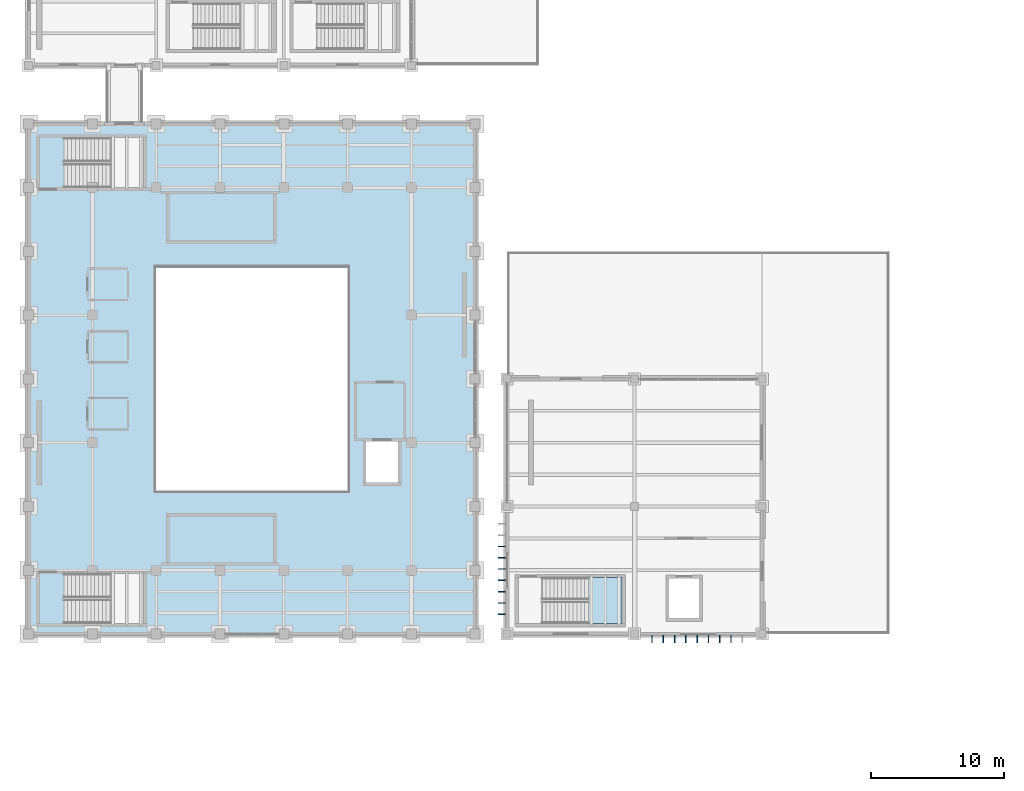
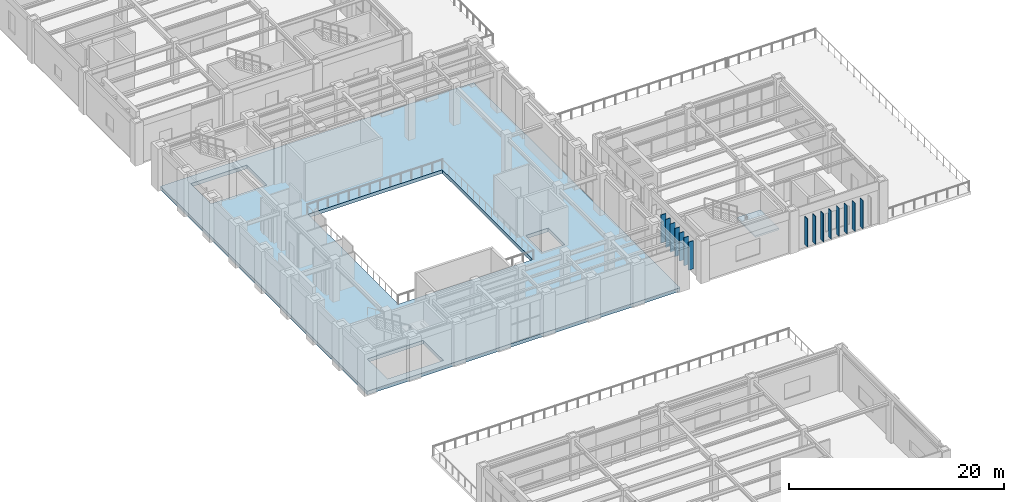
# One storey, part 48 of 83: 15 plates, 2 slabs, 1 element without a shape of its own.
"""IFC4 building model written with IfcOpenShell, lengths in metres."""

from ifc_helpers import new_model, si_unit, direction, frame, origin, origin_2d, place, context, subcontext, project, spatial, polyline, rectangle, outline, extrude, material, layer, layer_set, type_object, element, aggregate, save


model = new_model("IFC4")

# Units and contexts
model_context = context("Model", 3, precision=1e-05, world=origin(), true_north=direction((0.0, 1.0)))
body_context = subcontext(model_context, "Body", "Model", "MODEL_VIEW")
ifc_project = project(units=[si_unit("LENGTHUNIT", "METRE"), si_unit("AREAUNIT", "SQUARE_METRE"), si_unit("VOLUMEUNIT", "CUBIC_METRE"), si_unit("PLANEANGLEUNIT", "RADIAN"), si_unit("MASSUNIT", "GRAM", prefix="KILO")], contexts=[model_context])

# Site, building, storey
site_placement = place(None, origin())
site = spatial("IfcSite", under=ifc_project, at=site_placement, CompositionType="ELEMENT")
building_placement = place(site_placement, origin())
building = spatial("IfcBuilding", under=site, at=building_placement, Name="Mavantir Sound Aquarium", CompositionType="ELEMENT")
storey_placement = place(building_placement, frame((0.0, 0.0, 10.5)))
storey = spatial("IfcBuildingStorey", under=building, at=storey_placement, Name="L02", CompositionType="ELEMENT", Elevation=10.5)

# Plates
ifc_material_1 = material(Name="Coral-Limestone Composite Brise-Soleil Blade", Category="masonry")
ifc_layer_1 = layer(ifc_material_1, 0.06494140625, Name="Coral-Limestone Composite Brise-Soleil Blade")
ifc_layer_set_1 = layer_set([ifc_layer_1], Name="Coral-Limestone Composite Brise-Soleil Blade")
plate_type = type_object("IfcPlateType", Name="PLT-FIN-520", PredefinedType="SHEET", material=ifc_layer_set_1)
for number, where, z_axis, x_axis, name in (
    (1, (35.60498046875, 47.39208984375, 0.46630859375), (0.0, 0.0, 1.0), (0.0, 1.0, 0.0), "Tropical coral-stone brise-soleil blade 118"),
    (2, (35.60498046875, 46.5419921875, 0.46630859375), (0.0, 0.0, 1.0), (0.0, 1.0, 0.0), "Tropical coral-stone brise-soleil blade 119"),
    (3, (35.60498046875, 45.69189453125, 0.46630859375), (0.0, 0.0, 1.0), (0.0, 1.0, 0.0), "Tropical coral-stone brise-soleil blade 120"),
    (4, (35.60498046875, 44.842041015625, 0.46630859375), (0.0, 0.0, 1.0), (0.0, 1.0, 0.0), "Tropical coral-stone brise-soleil blade 121"),
    (5, (35.60498046875, 43.991943359375, 0.46630859375), (0.0, 0.0, 1.0), (0.0, 1.0, 0.0), "Tropical coral-stone brise-soleil blade 122"),
    (6, (35.60498046875, 43.14208984375, 0.46630859375), (0.0, 0.0, 1.0), (0.0, 1.0, 0.0), "Tropical coral-stone brise-soleil blade 123"),
    (7, (35.60498046875, 42.2919921875, 0.46630859375), (0.0, 0.0, 1.0), (0.0, 1.0, 0.0), "Tropical coral-stone brise-soleil blade 124"),
    (8, (46.907958984375, 40.425048828125, 0.33740234375), (0.0, 0.0, 1.0), (-1.0, 0.0, 0.0), "Tropical coral-stone brise-soleil blade 125"),
    (9, (47.758056640625, 40.425048828125, 0.33740234375), (0.0, 0.0, 1.0), (-1.0, 0.0, 0.0), "Tropical coral-stone brise-soleil blade 126"),
    (10, (48.60791015625, 40.425048828125, 0.33740234375), (0.0, 0.0, 1.0), (-1.0, 0.0, 0.0), "Tropical coral-stone brise-soleil blade 127"),
    (11, (49.4580078125, 40.425048828125, 0.33740234375), (0.0, 0.0, 1.0), (-1.0, 0.0, 0.0), "Tropical coral-stone brise-soleil blade 128"),
    (12, (50.30810546875, 40.425048828125, 0.33740234375), (0.0, 0.0, 1.0), (-1.0, 0.0, 0.0), "Tropical coral-stone brise-soleil blade 129"),
    (13, (51.157958984375, 40.425048828125, 0.33740234375), (0.0, 0.0, 1.0), (-1.0, 0.0, 0.0), "Tropical coral-stone brise-soleil blade 130"),
    (14, (52.008056640625, 40.425048828125, 0.33740234375), (0.0, 0.0, 1.0), (-1.0, 0.0, 0.0), "Tropical coral-stone brise-soleil blade 131"),
    (15, (52.85791015625, 40.425048828125, 0.33740234375), (0.0, 0.0, 1.0), (-1.0, 0.0, 0.0), "Tropical coral-stone brise-soleil blade 132"),
):
    element("IfcPlate", number, at=place(storey_placement, frame(where, z_axis=z_axis, x_axis=x_axis)), inside=storey, type_object=plate_type, Name=name, PredefinedType="SHEET", context=body_context, shape_type="SweptSolid", body=[
        extrude(rectangle(XDim=0.06494140625, YDim=0.5400390625, at=origin_2d()), origin(), (0.0, 0.0, 1.0), 3.199951171875),
    ])

# Slab
ifc_material_2 = material(Name="Concrete C45/55", Category="concrete")
ifc_layer_2 = layer(ifc_material_2, 0.39990234375, Name="Concrete C45/55")
ifc_layer_set_2 = layer_set([ifc_layer_2], Name="Concrete C45/55")
slab_type_1 = type_object("IfcSlabType", Name="SLB-FS-01", PredefinedType="FLOOR", material=ifc_layer_set_2)
slab_1_placement = place(storey_placement, frame((0.0, 0.0, -0.39990234375)))
element("IfcSlab", 16, at=slab_1_placement, inside=storey, type_object=slab_type_1, Name="L02 structural slab FS-01 (V1)", PredefinedType="FLOOR", context=body_context, shape_type="SweptSolid", body=[
    extrude(outline(polyline([(33.60009765625, 40.800048828125), (33.60009765625, 79.199951171875), (0.0, 79.199951171875), (0.0, 40.800048828125), (33.60009765625, 40.800048828125)]), holes=[polyline([(9.60009765625, 51.60009765625), (24.0, 51.60009765625), (24.0, 68.39990234375), (9.60009765625, 68.39990234375), (9.60009765625, 51.60009765625)]), polyline([(2.64990234375, 41.60009765625), (8.64990234375, 41.60009765625), (8.64990234375, 45.35009765625), (2.64990234375, 45.35009765625), (2.64990234375, 41.60009765625)]), polyline([(2.64990234375, 74.39990234375), (8.64990234375, 74.39990234375), (8.64990234375, 78.14990234375), (2.64990234375, 78.14990234375), (2.64990234375, 74.39990234375)]), polyline([(25.39990234375, 52.199951171875), (27.800048828125, 52.199951171875), (27.800048828125, 55.300048828125), (25.39990234375, 55.300048828125), (25.39990234375, 52.199951171875)])]), origin(), (0.0, 0.0, 1.0), 0.39990234375),
])

# Stair, slab
ifc_material_3 = material(Name="Concrete C40/50", Category="concrete")
stair_type = type_object("IfcStairType", Name="STR-1650-4800", PredefinedType="HALF_TURN_STAIR", material=ifc_material_3)
stair_placement = place(storey_placement, origin())
stair = element("IfcStair", 17, at=stair_placement, inside=storey, type_object=stair_type, Name="L02 Protected exit stair ST8", PredefinedType="HALF_TURN_STAIR")
ifc_layer_3 = layer(ifc_material_3, 0.199951171875, Name="Concrete C40/50")
ifc_layer_set_3 = layer_set([ifc_layer_3], Name="Concrete C40/50")
slab_type_2 = type_object("IfcSlabType", Name="SLB-LND-360", PredefinedType="LANDING", material=ifc_layer_set_3)
slab_2_placement = place(storey_placement, frame((0.0, 0.0, 2.199951171875)))
slab_2 = element("IfcSlab", 18, at=slab_2_placement, type_object=slab_type_2, Name="ST8 landing 1", PredefinedType="LANDING", context=body_context, shape_type="SweptSolid", body=[
    extrude(outline(polyline([(42.1298828125, 41.60009765625), (44.64990234375, 41.60009765625), (44.64990234375, 45.050048828125), (42.1298828125, 45.050048828125), (42.1298828125, 41.60009765625)])), origin(), (0.0, 0.0, 1.0), 0.199951171875),
])
aggregate(stair, [slab_2])

save(model, "model.ifc")
